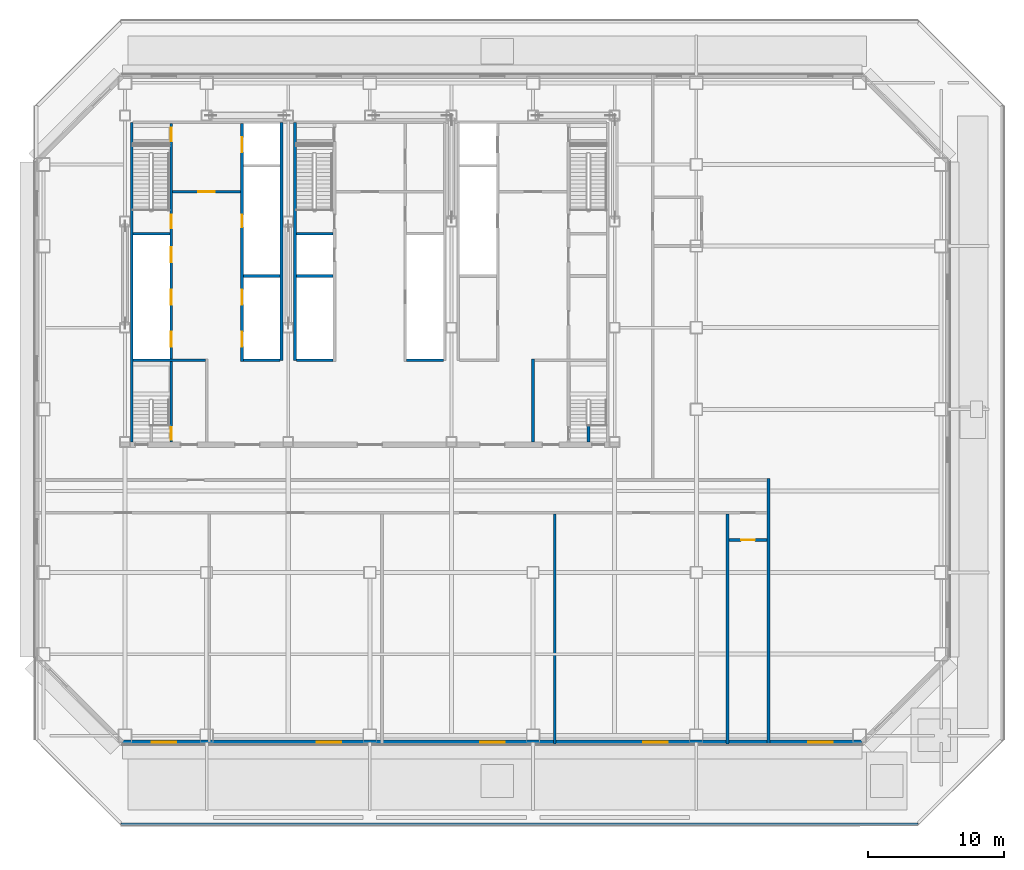
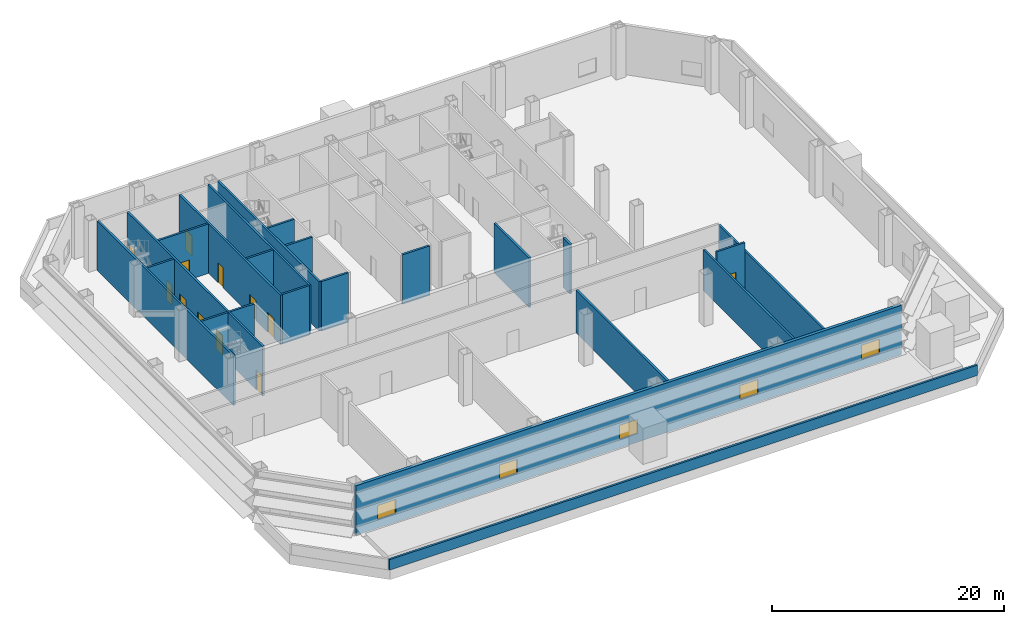
# One storey, part 4 of 11: 22 walls, 12 doors, 5 windows, 17 openings.
"""IFC4 building model written with IfcOpenShell, lengths in metres."""

import ifcopenshell
import ifcopenshell.guid

model = None  # the IFC model being written
_history = None  # IfcOwnerHistory: only IFC2X3 demands one
_inside = {}  # id of a spatial element -> (the spatial element, [elements in it])
_under = {}  # id of a project, library or spatial element -> (it, [spatial elements below it])
_declared = {}  # id of a project -> (the project, [libraries it declares])
_typed = {}  # id of a type object -> (the type object, [elements of that type])
_made_of = {}  # id of a material, layer set ... -> (it, [elements and type objects made of it])


def new_model(schema):
    """Start an empty IFC model of exactly this schema.

    Asked for "IFC4X3", IfcOpenShell would pick the latest addendum, in which some entities
    have other attributes; the version numbers below select the first issue.
    IFC2X3 requires an IfcOwnerHistory on every rooted entity: one is made here for all.
    """
    global model, _history
    if schema == "IFC4X3":
        model = ifcopenshell.file(schema_version=(4, 3, 0, 0))
    else:
        model = ifcopenshell.file(schema=schema)
    _inside.clear()
    _under.clear()
    _declared.clear()
    _typed.clear()
    _made_of.clear()
    _history = None
    if model.schema == "IFC2X3":
        org = make("IfcOrganization", Name="unknown")
        user = make(
            "IfcPersonAndOrganization",
            ThePerson=make("IfcPerson", FamilyName="unknown"),
            TheOrganization=org,
        )
        app = make(
            "IfcApplication",
            ApplicationDeveloper=org,
            Version="unknown",
            ApplicationFullName="unknown",
            ApplicationIdentifier="unknown",
        )
        _history = make(
            "IfcOwnerHistory",
            OwningUser=user,
            OwningApplication=app,
            ChangeAction="ADDED",
            CreationDate=0,
        )
    return model


def make(cls, **values):
    """One entity of the class cls with the attributes given. An attribute that is None is left unset."""
    return model.create_entity(
        cls, **{name: value for name, value in values.items() if value is not None}
    )


def rooted(cls, **values):
    """An entity with a GlobalId (a new one), such as an element, a storey or a relation."""
    return make(cls, GlobalId=ifcopenshell.guid.new(), OwnerHistory=_history, **values)


def si_unit(unit_type, name, prefix=None):
    """IfcSIUnit, for example si_unit("LENGTHUNIT", "METRE", prefix="MILLI")."""
    return make("IfcSIUnit", UnitType=unit_type, Prefix=prefix, Name=name)


def assignment(units):
    """IfcUnitAssignment: the units of a project."""
    return None if units is None else make("IfcUnitAssignment", Units=units)


def point(xyz):
    """IfcCartesianPoint."""
    return None if xyz is None else make("IfcCartesianPoint", Coordinates=xyz)


def direction(xyz):
    """IfcDirection."""
    return None if xyz is None else make("IfcDirection", DirectionRatios=xyz)


def frame(location, z_axis=None, x_axis=None):
    """IfcAxis2Placement3D, a coordinate frame: its origin and axes. An axis left out is left unset."""
    return make(
        "IfcAxis2Placement3D",
        Location=point(location),
        Axis=direction(z_axis),
        RefDirection=direction(x_axis),
    )


def frame_2d(location, x_axis=None):
    """IfcAxis2Placement2D, a coordinate frame in the plane: its origin and x axis."""
    return make(
        "IfcAxis2Placement2D", Location=point(location), RefDirection=direction(x_axis)
    )


def origin():
    """The frame at (0, 0, 0) with its axes left unset."""
    return frame((0.0, 0.0, 0.0))


def place(relative_to, where):
    """IfcLocalPlacement: puts the frame where relative to a parent placement (None: the world)."""
    return make(
        "IfcLocalPlacement", PlacementRelTo=relative_to, RelativePlacement=where
    )


def context(
    kind, dimensions, precision=None, world=None, true_north=None, identifier=None
):
    """IfcGeometricRepresentationContext, for example the 3D "Model" context."""
    return make(
        "IfcGeometricRepresentationContext",
        ContextIdentifier=identifier,
        ContextType=kind,
        CoordinateSpaceDimension=dimensions,
        Precision=precision,
        WorldCoordinateSystem=world,
        TrueNorth=true_north,
    )


def subcontext(parent, identifier, kind, view, scale=None):
    """IfcGeometricRepresentationSubContext, for example "Body" below "Model"."""
    return make(
        "IfcGeometricRepresentationSubContext",
        ContextIdentifier=identifier,
        ContextType=kind,
        ParentContext=parent,
        TargetScale=scale,
        TargetView=view,
    )


def project(units=None, contexts=None):
    """IfcProject with its units and contexts."""
    return rooted(
        "IfcProject",
        Name="project",
        RepresentationContexts=contexts,
        UnitsInContext=assignment(units),
    )


def spatial(cls, under=None, at=None, **own):
    """A site, building, storey or space (cls), placed at a placement, below another one or the project."""
    s = rooted(cls, ObjectPlacement=at, **own)
    if under is not None:
        _under.setdefault(under.id(), (under, []))[1].append(s)
    return s


def profile(cls, at=None, kind="AREA", **sizes):
    """A parametric profile (cls). Its sizes go by their IFC names, for example OverallWidth=200.0."""
    return make(cls, ProfileType=kind, Position=at, **sizes)


def rectangle(**sizes):
    """IfcRectangleProfileDef."""
    return profile("IfcRectangleProfileDef", **sizes)


def extrude(swept, where, along, depth):
    """IfcExtrudedAreaSolid: the profile swept, set in the frame where, extruded along a direction by depth."""
    return make(
        "IfcExtrudedAreaSolid",
        SweptArea=swept,
        Position=where,
        ExtrudedDirection=direction(along),
        Depth=depth,
    )


def shape(context_of_items, identifier, shape_type, items):
    """IfcShapeRepresentation: the items that make up one representation, for example the "Body"."""
    return make(
        "IfcShapeRepresentation",
        ContextOfItems=context_of_items,
        RepresentationIdentifier=identifier,
        RepresentationType=shape_type,
        Items=items,
    )


def material(Name=None, Category=None):
    """IfcMaterial."""
    return make("IfcMaterial", Name=Name, Category=Category)


def layer(
    of_material, thickness, ventilated=None, Name=None, Category=None, Priority=None
):
    """IfcMaterialLayer: one layer of a wall or slab, of a material (None: an air gap)."""
    return make(
        "IfcMaterialLayer",
        Material=of_material,
        LayerThickness=thickness,
        IsVentilated=ventilated,
        Name=Name,
        Category=Category,
        Priority=Priority,
    )


def layer_set(layers, Name=None):
    """IfcMaterialLayerSet."""
    return make("IfcMaterialLayerSet", MaterialLayers=layers, LayerSetName=Name)


def made_of(thing, what):
    """Note that an element or type object is made of a material, layer set ...; save() writes the relation."""
    if what is not None:
        _made_of.setdefault(what.id(), (what, []))[1].append(thing)
    return thing


def type_object(cls, material=None, **own):
    """A type object (cls), such as IfcWallType, which elements share."""
    return made_of(rooted(cls, **own), material)


def element(
    cls,
    number,
    at=None,
    inside=None,
    cuts=None,
    type_object=None,
    material=None,
    context=None,
    identifier="Body",
    shape_type=None,
    held_by="IfcProductDefinitionShape",
    body=None,
    shapes=None,
    **own,
):
    """One element of the class cls, such as IfcWall. Its Tag is "e" and its number.

    at: its placement. inside: the storey or other place that contains it. cuts: it is an
    opening in that element (IfcRelVoidsElement). A single representation is given by context,
    identifier, shape_type and body (its items); several are given by shapes. held_by: the class
    of the entity that holds the representations. save() writes the other relations.
    """
    e = rooted(cls, Tag="e%d" % number, ObjectPlacement=at, **own)
    if body is not None:
        shapes = [shape(context, identifier, shape_type, body)]
    if shapes is not None:
        e.Representation = make(held_by, Representations=shapes)
    if inside is not None:
        _inside.setdefault(inside.id(), (inside, []))[1].append(e)
    if cuts is not None:
        rooted(
            "IfcRelVoidsElement", RelatingBuildingElement=cuts, RelatedOpeningElement=e
        )
    if type_object is not None:
        _typed.setdefault(type_object.id(), (type_object, []))[1].append(e)
    return made_of(e, material)


def fill(opening, filler):
    """IfcRelFillsElement: the door or window that sits in an opening."""
    return rooted(
        "IfcRelFillsElement",
        RelatingOpeningElement=opening,
        RelatedBuildingElement=filler,
    )


def aggregate(whole, parts):
    """IfcRelAggregates: a whole, such as a stair, and the parts it consists of."""
    return rooted("IfcRelAggregates", RelatingObject=whole, RelatedObjects=parts)


def save(model, path):
    """Write the relations noted so far, then the file.

    IfcRelAggregates (storeys below a building ...), IfcRelContainedInSpatialStructure (elements
    in a storey), IfcRelDefinesByType, IfcRelAssociatesMaterial and IfcRelDeclares: one each for
    every whole, place, type object, material and project.
    """
    for whole, parts in _under.values():
        aggregate(whole, parts)
    for where, things in _inside.values():
        rooted(
            "IfcRelContainedInSpatialStructure",
            RelatedElements=things,
            RelatingStructure=where,
        )
    for kind, things in _typed.values():
        rooted("IfcRelDefinesByType", RelatedObjects=things, RelatingType=kind)
    for what, things in _made_of.values():
        rooted("IfcRelAssociatesMaterial", RelatedObjects=things, RelatingMaterial=what)
    for by, libraries in _declared.values():
        rooted("IfcRelDeclares", RelatingContext=by, RelatedDefinitions=libraries)
    model.write(path)


model = new_model("IFC4")

# Units and contexts
model_context = context("Model", 3, precision=1e-05, world=origin(), true_north=direction((0.0, 1.0)))
body_context = subcontext(model_context, "Body", "Model", "MODEL_VIEW")
ifc_project = project(units=[si_unit("LENGTHUNIT", "METRE"), si_unit("AREAUNIT", "SQUARE_METRE"), si_unit("VOLUMEUNIT", "CUBIC_METRE"), si_unit("PLANEANGLEUNIT", "RADIAN"), si_unit("MASSUNIT", "GRAM", prefix="KILO")], contexts=[model_context])

# Site, building, storey
site_placement = place(None, origin())
site = spatial("IfcSite", under=ifc_project, at=site_placement, CompositionType="ELEMENT")
building_placement = place(site_placement, origin())
building = spatial("IfcBuilding", under=site, at=building_placement, Name="Sorahane Residences", CompositionType="ELEMENT")
storey_placement = place(building_placement, frame((0.0, 0.0, 44.39990234375)))
storey = spatial("IfcBuildingStorey", under=building, at=storey_placement, Name="L07", CompositionType="ELEMENT", Elevation=44.39990234375)

# Walls
ifc_material_1 = material(Name="Concrete C30", Category="concrete")
ifc_layer_1 = layer(ifc_material_1, 0.199951171875)
ifc_layer_set_1 = layer_set([ifc_layer_1], Name="Core face wall 200 EI 180")
wall_type_1 = type_object("IfcWallType", Name="Core face wall 200 EI 180", PredefinedType="SOLIDWALL", material=ifc_layer_set_1)
wall_1_placement = place(storey_placement, frame((6.5, 21.60009765625, 0.0), z_axis=(0.0, 0.0, 1.0), x_axis=(0.0, 1.0, 0.0)))
element("IfcWall", 1, at=wall_1_placement, inside=storey, type_object=wall_type_1, Name="L07 core face wall", PredefinedType="SOLIDWALL", context=body_context, shape_type="SweptSolid", body=[
    extrude(rectangle(XDim=23.5, YDim=0.199951171875, at=frame_2d((11.75, 0.0))), origin(), (0.0, 0.0, 1.0), 5.22021484375),
])
for number, where, z_axis, x_axis, name in (
    (2, (17.5, 27.60009765625, 0.0), (0.0, 0.0, 1.0), (0.0, 1.0, 0.0), "L07 core face wall"),
    (3, (18.5, 27.60009765625, 0.0), (0.0, 0.0, 1.0), (0.0, 1.0, 0.0), "L07 core face wall"),
):
    element("IfcWall", number, at=place(storey_placement, frame(where, z_axis=z_axis, x_axis=x_axis)), inside=storey, type_object=wall_type_1, Name=name, PredefinedType="SOLIDWALL", context=body_context, shape_type="SweptSolid", body=[
        extrude(rectangle(XDim=17.5, YDim=0.199951171875, at=frame_2d((8.75, 0.0))), origin(), (0.0, 0.0, 1.0), 5.22021484375),
    ])

# Wall, openings, windows
ifc_material_2 = material(Name="Graphite insulated metal-clad wall")
ifc_layer_2 = layer(ifc_material_2, 0.300048828125)
ifc_layer_set_2 = layer_set([ifc_layer_2], Name="External wall insulated metal-clad 300")
wall_type_2 = type_object("IfcWallType", Name="External wall insulated metal-clad 300", PredefinedType="SOLIDWALL", material=ifc_layer_set_2)
wall_2_placement = place(storey_placement, frame((5.805419921875, -0.469970703125, 0.0), z_axis=(0.0, 0.0, 1.0), x_axis=(1.0, 0.0, 0.0)))
wall_2 = element("IfcWall", 4, at=wall_2_placement, inside=storey, type_object=wall_type_2, Name="External plant wall L07 S1", PredefinedType="SOLIDWALL", context=body_context, shape_type="SweptSolid", body=[
    extrude(rectangle(XDim=54.38916015625, YDim=0.300048828125, at=frame_2d((27.194580078125, 0.0))), origin(), (0.0, 0.0, 1.0), 5.22021484375),
])
opening_1_placement = place(wall_2_placement, frame((2.17041015625, 0.0, 0.89990234375)))
opening_1 = element("IfcOpeningElement", 5, at=opening_1_placement, cuts=wall_2, Name="Opening W-R1", PredefinedType="OPENING", context=body_context, shape_type="SweptSolid", body=[
    extrude(rectangle(XDim=1.800048828125, YDim=1.5, at=frame_2d((0.89990234375, 0.75))), frame((0.0, 0.159912109375, 0.0), z_axis=(0.0, -1.0, 0.0), x_axis=(1.0, 0.0, 0.0)), (0.0, 0.0, 1.0), 0.320068359375),
])
opening_2_placement = place(wall_2_placement, frame((14.294677734375, 0.0, 0.89990234375)))
opening_2 = element("IfcOpeningElement", 6, at=opening_2_placement, cuts=wall_2, Name="Opening W-R1", PredefinedType="OPENING", context=body_context, shape_type="SweptSolid", body=[
    extrude(rectangle(XDim=1.800048828125, YDim=1.5, at=frame_2d((0.89990234375, 0.75))), frame((0.0, 0.159912109375, 0.0), z_axis=(0.0, -1.0, 0.0), x_axis=(1.0, 0.0, 0.0)), (0.0, 0.0, 1.0), 0.320068359375),
])
opening_3_placement = place(wall_2_placement, frame((26.294677734375, 0.0, 0.89990234375)))
opening_3 = element("IfcOpeningElement", 7, at=opening_3_placement, cuts=wall_2, Name="Opening W-R1", PredefinedType="OPENING", context=body_context, shape_type="SweptSolid", body=[
    extrude(rectangle(XDim=1.800048828125, YDim=1.5, at=frame_2d((0.89990234375, 0.75))), frame((0.0, 0.159912109375, 0.0), z_axis=(0.0, -1.0, 0.0), x_axis=(1.0, 0.0, 0.0)), (0.0, 0.0, 1.0), 0.320068359375),
])
opening_4_placement = place(wall_2_placement, frame((38.294677734375, 0.0, 0.89990234375)))
opening_4 = element("IfcOpeningElement", 8, at=opening_4_placement, cuts=wall_2, Name="Opening W-R1", PredefinedType="OPENING", context=body_context, shape_type="SweptSolid", body=[
    extrude(rectangle(XDim=1.800048828125, YDim=1.5, at=frame_2d((0.89990234375, 0.75))), frame((0.0, 0.159912109375, 0.0), z_axis=(0.0, -1.0, 0.0), x_axis=(1.0, 0.0, 0.0)), (0.0, 0.0, 1.0), 0.320068359375),
])
opening_5_placement = place(wall_2_placement, frame((50.4189453125, 0.0, 0.89990234375)))
opening_5 = element("IfcOpeningElement", 9, at=opening_5_placement, cuts=wall_2, Name="Opening W-R1", PredefinedType="OPENING", context=body_context, shape_type="SweptSolid", body=[
    extrude(rectangle(XDim=1.800048828125, YDim=1.5, at=frame_2d((0.89990234375, 0.75))), frame((0.0, 0.159912109375, 0.0), z_axis=(0.0, -1.0, 0.0), x_axis=(1.0, 0.0, 0.0)), (0.0, 0.0, 1.0), 0.320068359375),
])
ifc_material_3 = material(Name="Dark aluminium and glass", Category="aluminium")
window_type = type_object("IfcWindowType", Name="Openable Class B fire window dark aluminium 1800x1500", PartitioningType="SINGLE_PANEL", PredefinedType="WINDOW", material=ifc_material_3)
window_1_placement = place(opening_1_placement, origin())
window_1 = element("IfcWindow", 10, at=window_1_placement, inside=storey, type_object=window_type, Name="Openable fire window L07 S1.1", OverallHeight=1.5, OverallWidth=1.800048828125, PartitioningType="SINGLE_PANEL", PredefinedType="WINDOW", context=body_context, shape_type="SweptSolid", body=[
    extrude(rectangle(XDim=1.800048828125, YDim=1.5, at=frame_2d((0.89990234375, 0.75))), frame((0.0, 0.030029296875, 0.0), z_axis=(0.0, -1.0, 0.0), x_axis=(1.0, 0.0, 0.0)), (0.0, 0.0, 1.0), 0.06005859375),
])
fill(opening_1, window_1)
window_2_placement = place(opening_2_placement, origin())
window_2 = element("IfcWindow", 11, at=window_2_placement, inside=storey, type_object=window_type, Name="Openable fire window L07 S1.3", OverallHeight=1.5, OverallWidth=1.800048828125, PartitioningType="SINGLE_PANEL", PredefinedType="WINDOW", context=body_context, shape_type="SweptSolid", body=[
    extrude(rectangle(XDim=1.800048828125, YDim=1.5, at=frame_2d((0.89990234375, 0.75))), frame((0.0, 0.030029296875, 0.0), z_axis=(0.0, -1.0, 0.0), x_axis=(1.0, 0.0, 0.0)), (0.0, 0.0, 1.0), 0.06005859375),
])
fill(opening_2, window_2)
window_3_placement = place(opening_3_placement, origin())
window_3 = element("IfcWindow", 12, at=window_3_placement, inside=storey, type_object=window_type, Name="Openable fire window L07 S1.5", OverallHeight=1.5, OverallWidth=1.800048828125, PartitioningType="SINGLE_PANEL", PredefinedType="WINDOW", context=body_context, shape_type="SweptSolid", body=[
    extrude(rectangle(XDim=1.800048828125, YDim=1.5, at=frame_2d((0.89990234375, 0.75))), frame((0.0, 0.030029296875, 0.0), z_axis=(0.0, -1.0, 0.0), x_axis=(1.0, 0.0, 0.0)), (0.0, 0.0, 1.0), 0.06005859375),
])
fill(opening_3, window_3)
window_4_placement = place(opening_4_placement, origin())
window_4 = element("IfcWindow", 13, at=window_4_placement, inside=storey, type_object=window_type, Name="Openable fire window L07 S1.7", OverallHeight=1.5, OverallWidth=1.800048828125, PartitioningType="SINGLE_PANEL", PredefinedType="WINDOW", context=body_context, shape_type="SweptSolid", body=[
    extrude(rectangle(XDim=1.800048828125, YDim=1.5, at=frame_2d((0.89990234375, 0.75))), frame((0.0, 0.030029296875, 0.0), z_axis=(0.0, -1.0, 0.0), x_axis=(1.0, 0.0, 0.0)), (0.0, 0.0, 1.0), 0.06005859375),
])
fill(opening_4, window_4)
window_5_placement = place(opening_5_placement, origin())
window_5 = element("IfcWindow", 14, at=window_5_placement, inside=storey, type_object=window_type, Name="Openable fire window L07 S1.9", OverallHeight=1.5, OverallWidth=1.800048828125, PartitioningType="SINGLE_PANEL", PredefinedType="WINDOW", context=body_context, shape_type="SweptSolid", body=[
    extrude(rectangle(XDim=1.800048828125, YDim=1.5, at=frame_2d((0.89990234375, 0.75))), frame((0.0, 0.030029296875, 0.0), z_axis=(0.0, -1.0, 0.0), x_axis=(1.0, 0.0, 0.0)), (0.0, 0.0, 1.0), 0.06005859375),
])
fill(opening_5, window_5)

# Walls
ifc_material_4 = material(Name="Concrete blockwork C20 wall", Category="masonry")
ifc_layer_3 = layer(ifc_material_4, 0.199951171875)
ifc_layer_set_3 = layer_set([ifc_layer_3], Name="Fire wall 200 EI 120")
wall_type_3 = type_object("IfcWallType", Name="Fire wall 200 EI 120", PredefinedType="SOLIDWALL", material=ifc_layer_set_3)
wall_3_placement = place(storey_placement, frame((50.300048828125, -0.60009765625, 0.0), z_axis=(0.0, 0.0, 1.0), x_axis=(0.0, 1.0, 0.0)))
element("IfcWall", 15, at=wall_3_placement, inside=storey, type_object=wall_type_3, Name="L07 fire wall", PredefinedType="SOLIDWALL", context=body_context, shape_type="SweptSolid", body=[
    extrude(rectangle(XDim=16.900146484375, YDim=0.199951171875, at=frame_2d((8.4501953125, 0.0))), origin(), (0.0, 0.0, 1.0), 4.320068359375),
])
wall_4_placement = place(storey_placement, frame((53.300048828125, -0.60009765625, 0.0), z_axis=(0.0, 0.0, 1.0), x_axis=(0.0, 1.0, 0.0)))
element("IfcWall", 16, at=wall_4_placement, inside=storey, type_object=wall_type_3, Name="L07 fire wall", PredefinedType="SOLIDWALL", context=body_context, shape_type="SweptSolid", body=[
    extrude(rectangle(XDim=19.5, YDim=0.199951171875, at=frame_2d((9.75, 0.0))), origin(), (0.0, 0.0, 1.0), 4.320068359375),
])

# Wall, opening, door
wall_5_placement = place(storey_placement, frame((50.39990234375, 14.39990234375, 0.0), z_axis=(0.0, 0.0, 1.0), x_axis=(1.0, 0.0, 0.0)))
wall_5 = element("IfcWall", 17, at=wall_5_placement, inside=storey, type_object=wall_type_3, Name="L07 fire wall", PredefinedType="SOLIDWALL", context=body_context, shape_type="SweptSolid", body=[
    extrude(rectangle(XDim=2.800048828125, YDim=0.199951171875, at=frame_2d((1.39990234375, 0.0))), origin(), (0.0, 0.0, 1.0), 5.22021484375),
])
opening_6_placement = place(wall_5_placement, frame((0.89990234375, 0.0, 0.0)))
opening_6 = element("IfcOpeningElement", 18, at=opening_6_placement, cuts=wall_5, Name="Opening L07-06", PredefinedType="OPENING", context=body_context, shape_type="SweptSolid", body=[
    extrude(rectangle(XDim=1.0, YDim=2.39990234375, at=frame_2d((0.5, 1.199951171875))), frame((0.0, 0.10986328125, 0.0), z_axis=(0.0, -1.0, 0.0), x_axis=(1.0, 0.0, 0.0)), (0.0, 0.0, 1.0), 0.219970703125),
])
ifc_material_5 = material(Name="Steel", Category="steel")
door_type_1 = type_object("IfcDoorType", Name="Fire door 1000x2400 FD60", OperationType="NOTDEFINED", PredefinedType="DOOR", material=ifc_material_5)
door_1_placement = place(opening_6_placement, origin())
door_1 = element("IfcDoor", 19, at=door_1_placement, inside=storey, type_object=door_type_1, Name="Fire door L07-06", OperationType="SINGLE_SWING_RIGHT", OverallHeight=2.39990234375, OverallWidth=1.0, PredefinedType="DOOR", context=body_context, shape_type="SweptSolid", body=[
    extrude(rectangle(XDim=1.0, YDim=2.39990234375, at=frame_2d((0.5, 1.199951171875))), frame((0.0, 0.02490234375, 0.0), z_axis=(0.0, -1.0, 0.0), x_axis=(1.0, 0.0, 0.0)), (0.0, 0.0, 1.0), 0.050048828125),
])
fill(opening_6, door_1)

# Wall
ifc_material_6 = material(Name="Concrete C30", Category="concrete")
ifc_layer_4 = layer(ifc_material_6, 0.199951171875)
ifc_layer_set_4 = layer_set([ifc_layer_4], Name="Front room wall 200 EI 120")
wall_type_4 = type_object("IfcWallType", Name="Front room wall 200 EI 120", PredefinedType="PARTITIONING", material=ifc_layer_set_4)
wall_6_placement = place(storey_placement, frame((36.0, 21.60009765625, 0.0), z_axis=(0.0, 0.0, 1.0), x_axis=(0.0, 1.0, 0.0)))
element("IfcWall", 20, at=wall_6_placement, inside=storey, type_object=wall_type_4, Name="L07 front room wall", PredefinedType="PARTITIONING", context=body_context, shape_type="SweptSolid", body=[
    extrude(rectangle(XDim=6.099853515625, YDim=0.199951171875, at=frame_2d((3.0498046875, 0.0))), origin(), (0.0, 0.0, 1.0), 5.22021484375),
])

# Wall, opening, door
wall_7_placement = place(storey_placement, frame((9.5, 40.0, 0.0), z_axis=(0.0, 0.0, 1.0), x_axis=(1.0, 0.0, 0.0)))
wall_7 = element("IfcWall", 21, at=wall_7_placement, inside=storey, type_object=wall_type_4, Name="L07 front room wall", PredefinedType="PARTITIONING", context=body_context, shape_type="SweptSolid", body=[
    extrude(rectangle(XDim=5.0, YDim=0.199951171875, at=frame_2d((2.5, 0.0))), origin(), (0.0, 0.0, 1.0), 5.22021484375),
])
opening_7_placement = place(wall_7_placement, frame((1.89990234375, 0.0, 0.0)))
opening_7 = element("IfcOpeningElement", 22, at=opening_7_placement, cuts=wall_7, Name="Opening L07-C06", PredefinedType="OPENING", context=body_context, shape_type="SweptSolid", body=[
    extrude(rectangle(XDim=1.199951171875, YDim=2.10009765625, at=frame_2d((0.60009765625, 1.050048828125))), frame((0.0, 0.10986328125, 0.0), z_axis=(0.0, -1.0, 0.0), x_axis=(1.0, 0.0, 0.0)), (0.0, 0.0, 1.0), 0.219970703125),
])
ifc_material_7 = material(Name="Steel", Category="steel")
door_type_2 = type_object("IfcDoorType", Name="Front room door 1200x2100 FD120", OperationType="NOTDEFINED", PredefinedType="DOOR", material=ifc_material_7)
door_2_placement = place(opening_7_placement, frame((1.199951171875, 0.0, 0.0), z_axis=(0.0, 0.0, 1.0), x_axis=(-1.0, 0.0, 0.0)))
door_2 = element("IfcDoor", 23, at=door_2_placement, inside=storey, type_object=door_type_2, Name="Front room door Firefighting lobby FF1 front room L07", OperationType="DOUBLE_DOOR_SINGLE_SWING", OverallHeight=2.10009765625, OverallWidth=1.199951171875, PredefinedType="DOOR", context=body_context, shape_type="SweptSolid", body=[
    extrude(rectangle(XDim=1.199951171875, YDim=2.10009765625, at=frame_2d((0.60009765625, 1.050048828125))), frame((0.0, 0.02490234375, 0.0), z_axis=(0.0, -1.0, 0.0), x_axis=(1.0, 0.0, 0.0)), (0.0, 0.0, 1.0), 0.050048828125),
])
fill(opening_7, door_2)

# Wall, openings, doors
ifc_material_8 = material(Name="Concrete C30", Category="concrete")
ifc_layer_5 = layer(ifc_material_8, 0.199951171875)
ifc_layer_set_5 = layer_set([ifc_layer_5], Name="Lift shaft wall 200 EI 120")
wall_type_5 = type_object("IfcWallType", Name="Lift shaft wall 200 EI 120", PredefinedType="SOLIDWALL", material=ifc_layer_set_5)
wall_8_placement = place(storey_placement, frame((14.60009765625, 27.5, 0.0), z_axis=(0.0, 0.0, 1.0), x_axis=(0.0, 1.0, 0.0)))
wall_8 = element("IfcWall", 24, at=wall_8_placement, inside=storey, type_object=wall_type_5, Name="L07 lift shaft wall", PredefinedType="SOLIDWALL", context=body_context, shape_type="SweptSolid", body=[
    extrude(rectangle(XDim=17.5, YDim=0.199951171875, at=frame_2d((8.75, 0.0))), origin(), (0.0, 0.0, 1.0), 5.22021484375),
])
opening_8_placement = place(wall_8_placement, frame((1.10009765625, 0.0, 0.0)))
opening_8 = element("IfcOpeningElement", 25, at=opening_8_placement, cuts=wall_8, Name="Opening L07-C10", PredefinedType="OPENING", context=body_context, shape_type="SweptSolid", body=[
    extrude(rectangle(XDim=1.10009765625, YDim=2.10009765625, at=frame_2d((0.550048828125, 1.050048828125))), frame((0.0, 0.10986328125, 0.0), z_axis=(0.0, -1.0, 0.0), x_axis=(1.0, 0.0, 0.0)), (0.0, 0.0, 1.0), 0.219970703125),
])
opening_9_placement = place(wall_8_placement, frame((4.199951171875, 0.0, 0.0)))
opening_9 = element("IfcOpeningElement", 26, at=opening_9_placement, cuts=wall_8, Name="Opening L07-C11", PredefinedType="OPENING", context=body_context, shape_type="SweptSolid", body=[
    extrude(rectangle(XDim=1.10009765625, YDim=2.10009765625, at=frame_2d((0.550048828125, 1.050048828125))), frame((0.0, 0.10986328125, 0.0), z_axis=(0.0, -1.0, 0.0), x_axis=(1.0, 0.0, 0.0)), (0.0, 0.0, 1.0), 0.219970703125),
])
opening_10_placement = place(wall_8_placement, frame((15.39990234375, 0.0, 0.0)))
opening_10 = element("IfcOpeningElement", 27, at=opening_10_placement, cuts=wall_8, Name="Opening L07-C12", PredefinedType="OPENING", context=body_context, shape_type="SweptSolid", body=[
    extrude(rectangle(XDim=1.10009765625, YDim=2.10009765625, at=frame_2d((0.550048828125, 1.050048828125))), frame((0.0, 0.10986328125, 0.0), z_axis=(0.0, -1.0, 0.0), x_axis=(1.0, 0.0, 0.0)), (0.0, 0.0, 1.0), 0.219970703125),
])
opening_11_placement = place(wall_8_placement, frame((9.89990234375, 0.0, 0.0)))
opening_11 = element("IfcOpeningElement", 28, at=opening_11_placement, cuts=wall_8, Name="Opening L07-C29", PredefinedType="OPENING", context=body_context, shape_type="SweptSolid", body=[
    extrude(rectangle(XDim=0.89990234375, YDim=2.10009765625, at=frame_2d((0.449951171875, 1.050048828125))), frame((0.0, 0.10986328125, 0.0), z_axis=(0.0, -1.0, 0.0), x_axis=(1.0, 0.0, 0.0)), (0.0, 0.0, 1.0), 0.219970703125),
])
ifc_material_9 = material(Name="Aluminium and stainless steel", Category="steel")
door_type_3 = type_object("IfcDoorType", Name="Lift landing door 1100x2100 E 60", OperationType="NOTDEFINED", PredefinedType="DOOR", material=ifc_material_9)
door_3_placement = place(opening_8_placement, origin())
door_3 = element("IfcDoor", 29, at=door_3_placement, inside=storey, type_object=door_type_3, Name="Lift landing door LR4 L07", OperationType="DOUBLE_DOOR_SLIDING", OverallHeight=2.10009765625, OverallWidth=1.10009765625, PredefinedType="DOOR", context=body_context, shape_type="SweptSolid", body=[
    extrude(rectangle(XDim=1.10009765625, YDim=2.10009765625, at=frame_2d((0.550048828125, 1.050048828125))), frame((0.0, 0.02490234375, 0.0), z_axis=(0.0, -1.0, 0.0), x_axis=(1.0, 0.0, 0.0)), (0.0, 0.0, 1.0), 0.050048828125),
])
fill(opening_8, door_3)
door_4_placement = place(opening_9_placement, origin())
door_4 = element("IfcDoor", 30, at=door_4_placement, inside=storey, type_object=door_type_3, Name="Lift landing door LR5 L07", OperationType="DOUBLE_DOOR_SLIDING", OverallHeight=2.10009765625, OverallWidth=1.10009765625, PredefinedType="DOOR", context=body_context, shape_type="SweptSolid", body=[
    extrude(rectangle(XDim=1.10009765625, YDim=2.10009765625, at=frame_2d((0.550048828125, 1.050048828125))), frame((0.0, 0.02490234375, 0.0), z_axis=(0.0, -1.0, 0.0), x_axis=(1.0, 0.0, 0.0)), (0.0, 0.0, 1.0), 0.050048828125),
])
fill(opening_9, door_4)
door_5_placement = place(opening_10_placement, origin())
door_5 = element("IfcDoor", 31, at=door_5_placement, inside=storey, type_object=door_type_3, Name="Lift landing door FF1 L07", OperationType="DOUBLE_DOOR_SLIDING", OverallHeight=2.10009765625, OverallWidth=1.10009765625, PredefinedType="DOOR", context=body_context, shape_type="SweptSolid", body=[
    extrude(rectangle(XDim=1.10009765625, YDim=2.10009765625, at=frame_2d((0.550048828125, 1.050048828125))), frame((0.0, 0.02490234375, 0.0), z_axis=(0.0, -1.0, 0.0), x_axis=(1.0, 0.0, 0.0)), (0.0, 0.0, 1.0), 0.050048828125),
])
fill(opening_10, door_5)
ifc_material_10 = material(Name="Steel", Category="steel")
door_type_4 = type_object("IfcDoorType", Name="Riser door 900x2100 FD120", OperationType="NOTDEFINED", PredefinedType="DOOR", material=ifc_material_10)
door_6_placement = place(opening_11_placement, origin())
door_6 = element("IfcDoor", 32, at=door_6_placement, inside=storey, type_object=door_type_4, Name="Riser door R1 L07", OperationType="SINGLE_SWING_LEFT", OverallHeight=2.10009765625, OverallWidth=0.89990234375, PredefinedType="DOOR", context=body_context, shape_type="SweptSolid", body=[
    extrude(rectangle(XDim=0.89990234375, YDim=2.10009765625, at=frame_2d((0.449951171875, 1.050048828125))), frame((0.0, 0.02490234375, 0.0), z_axis=(0.0, -1.0, 0.0), x_axis=(1.0, 0.0, 0.0)), (0.0, 0.0, 1.0), 0.050048828125),
])
fill(opening_11, door_6)

# Walls
for number, where, z_axis, x_axis, name in (
    (33, (14.699951171875, 27.60009765625, 0.0), (0.0, 0.0, 1.0), (1.0, 0.0, 0.0), "L07 lift shaft wall"),
    (34, (18.60009765625, 27.60009765625, 0.0), (0.0, 0.0, 1.0), (1.0, 0.0, 0.0), "L07 lift shaft wall"),
    (35, (14.699951171875, 33.800048828125, 0.0), (0.0, 0.0, 1.0), (1.0, 0.0, 0.0), "L07 lift shaft wall"),
    (36, (18.60009765625, 33.800048828125, 0.0), (0.0, 0.0, 1.0), (1.0, 0.0, 0.0), "L07 lift shaft wall"),
):
    element("IfcWall", number, at=place(storey_placement, frame(where, z_axis=z_axis, x_axis=x_axis)), inside=storey, type_object=wall_type_5, Name=name, PredefinedType="SOLIDWALL", context=body_context, shape_type="SweptSolid", body=[
        extrude(rectangle(XDim=2.699951171875, YDim=0.199951171875, at=frame_2d((1.35009765625, 0.0))), origin(), (0.0, 0.0, 1.0), 5.22021484375),
    ])
ifc_material_11 = material(Name="Concrete C35", Category="concrete")
ifc_layer_6 = layer(ifc_material_11, 0.199951171875)
ifc_layer_set_6 = layer_set([ifc_layer_6], Name="Parapet wall Concrete C35 200")
wall_type_6 = type_object("IfcWallType", Name="Parapet wall Concrete C35 200", PredefinedType="PARAPET", material=ifc_layer_set_6)
wall_9_placement = place(storey_placement, frame((64.30712890625, -6.5, 0.0), z_axis=(0.0, 0.0, 1.0), x_axis=(-1.0, 0.0, 0.0)))
element("IfcWall", 37, at=wall_9_placement, inside=storey, type_object=wall_type_6, Name="Roof parapet L07.1.1.7", PredefinedType="PARAPET", context=body_context, shape_type="SweptSolid", body=[
    extrude(rectangle(XDim=58.6142578125, YDim=0.199951171875, at=frame_2d((29.30712890625, 0.0))), origin(), (0.0, 0.0, 1.0), 1.10009765625),
])
ifc_material_12 = material(Name="Concrete blockwork C20 wall", Category="masonry")
ifc_layer_7 = layer(ifc_material_12, 0.199951171875)
ifc_layer_set_7 = layer_set([ifc_layer_7], Name="Plant wall 200 EI 120")
wall_type_7 = type_object("IfcWallType", Name="Plant wall 200 EI 120", PredefinedType="SOLIDWALL", material=ifc_layer_set_7)
wall_10_placement = place(storey_placement, frame((37.60009765625, -0.60009765625, 0.0), z_axis=(0.0, 0.0, 1.0), x_axis=(0.0, 1.0, 0.0)))
element("IfcWall", 38, at=wall_10_placement, inside=storey, type_object=wall_type_7, Name="L07 plant wall", PredefinedType="SOLIDWALL", context=body_context, shape_type="SweptSolid", body=[
    extrude(rectangle(XDim=16.900146484375, YDim=0.199951171875, at=frame_2d((8.4501953125, 0.0))), origin(), (0.0, 0.0, 1.0), 4.52001953125),
])
ifc_material_13 = material(Name="Concrete C30", Category="concrete")
ifc_layer_8 = layer(ifc_material_13, 0.199951171875)
ifc_layer_set_8 = layer_set([ifc_layer_8], Name="Riser shaft wall 200 EI 120")
wall_type_8 = type_object("IfcWallType", Name="Riser shaft wall 200 EI 120", PredefinedType="SOLIDWALL", material=ifc_layer_set_8)
wall_11_placement = place(storey_placement, frame((26.699951171875, 27.60009765625, 0.0), z_axis=(0.0, 0.0, 1.0), x_axis=(1.0, 0.0, 0.0)))
element("IfcWall", 39, at=wall_11_placement, inside=storey, type_object=wall_type_8, Name="L07 riser wall", PredefinedType="SOLIDWALL", context=body_context, shape_type="SweptSolid", body=[
    extrude(rectangle(XDim=2.699951171875, YDim=0.199951171875, at=frame_2d((1.35009765625, 0.0))), origin(), (0.0, 0.0, 1.0), 5.22021484375),
])
ifc_material_14 = material(Name="Concrete C30", Category="concrete")
ifc_layer_9 = layer(ifc_material_14, 0.199951171875)
ifc_layer_set_9 = layer_set([ifc_layer_9], Name="Stair enclosure wall 200 EI 120")
wall_type_9 = type_object("IfcWallType", Name="Stair enclosure wall 200 EI 120", PredefinedType="SOLIDWALL", material=ifc_layer_set_9)
wall_12_placement = place(storey_placement, frame((40.074951171875, 21.60009765625, 0.0), z_axis=(0.0, 0.0, 1.0), x_axis=(0.0, 1.0, 0.0)))
element("IfcWall", 40, at=wall_12_placement, inside=storey, type_object=wall_type_9, Name="L07 stair enclosure wall", PredefinedType="SOLIDWALL", context=body_context, shape_type="SweptSolid", body=[
    extrude(rectangle(XDim=1.25, YDim=0.199951171875, at=frame_2d((0.625, 0.0))), origin(), (0.0, 0.0, 1.0), 5.22021484375),
])

# Wall, openings, doors
wall_13_placement = place(storey_placement, frame((9.39990234375, 21.60009765625, 0.0), z_axis=(0.0, 0.0, 1.0), x_axis=(0.0, 1.0, 0.0)))
wall_13 = element("IfcWall", 41, at=wall_13_placement, inside=storey, type_object=wall_type_9, Name="L07 stair enclosure wall", PredefinedType="SOLIDWALL", context=body_context, shape_type="SweptSolid", body=[
    extrude(rectangle(XDim=23.39990234375, YDim=0.199951171875, at=frame_2d((11.699951171875, 0.0))), origin(), (0.0, 0.0, 1.0), 5.22021484375),
])
opening_12_placement = place(wall_13_placement, frame((7.0, 0.0, 0.0)))
opening_12 = element("IfcOpeningElement", 42, at=opening_12_placement, cuts=wall_13, Name="Opening L07-C13", PredefinedType="OPENING", context=body_context, shape_type="SweptSolid", body=[
    extrude(rectangle(XDim=1.10009765625, YDim=2.10009765625, at=frame_2d((0.550048828125, 1.050048828125))), frame((0.0, 0.10986328125, 0.0), z_axis=(0.0, -1.0, 0.0), x_axis=(1.0, 0.0, 0.0)), (0.0, 0.0, 1.0), 0.219970703125),
])
opening_13_placement = place(wall_13_placement, frame((10.10009765625, 0.0, 0.0)))
opening_13 = element("IfcOpeningElement", 43, at=opening_13_placement, cuts=wall_13, Name="Opening L07-C14", PredefinedType="OPENING", context=body_context, shape_type="SweptSolid", body=[
    extrude(rectangle(XDim=1.10009765625, YDim=2.10009765625, at=frame_2d((0.550048828125, 1.050048828125))), frame((0.0, 0.10986328125, 0.0), z_axis=(0.0, -1.0, 0.0), x_axis=(1.0, 0.0, 0.0)), (0.0, 0.0, 1.0), 0.219970703125),
])
opening_14_placement = place(wall_13_placement, frame((13.199951171875, 0.0, 0.0)))
opening_14 = element("IfcOpeningElement", 44, at=opening_14_placement, cuts=wall_13, Name="Opening L07-C15", PredefinedType="OPENING", context=body_context, shape_type="SweptSolid", body=[
    extrude(rectangle(XDim=1.10009765625, YDim=2.10009765625, at=frame_2d((0.550048828125, 1.050048828125))), frame((0.0, 0.10986328125, 0.0), z_axis=(0.0, -1.0, 0.0), x_axis=(1.0, 0.0, 0.0)), (0.0, 0.0, 1.0), 0.219970703125),
])
opening_15_placement = place(wall_13_placement, frame((22.10009765625, 0.0, 0.0)))
opening_15 = element("IfcOpeningElement", 45, at=opening_15_placement, cuts=wall_13, Name="Opening L07-C19", PredefinedType="OPENING", context=body_context, shape_type="SweptSolid", body=[
    extrude(rectangle(XDim=1.0, YDim=2.10009765625, at=frame_2d((0.5, 1.050048828125))), frame((0.0, 0.10986328125, 0.0), z_axis=(0.0, -1.0, 0.0), x_axis=(1.0, 0.0, 0.0)), (0.0, 0.0, 1.0), 0.219970703125),
])
opening_16_placement = place(wall_13_placement, frame((15.699951171875, 0.0, 0.0)))
opening_16 = element("IfcOpeningElement", 46, at=opening_16_placement, cuts=wall_13, Name="Opening L07-C20", PredefinedType="OPENING", context=body_context, shape_type="SweptSolid", body=[
    extrude(rectangle(XDim=1.0, YDim=2.10009765625, at=frame_2d((0.5, 1.050048828125))), frame((0.0, 0.10986328125, 0.0), z_axis=(0.0, -1.0, 0.0), x_axis=(1.0, 0.0, 0.0)), (0.0, 0.0, 1.0), 0.219970703125),
])
opening_17_placement = place(wall_13_placement, frame((0.175048828125, 0.0, 0.0)))
opening_17 = element("IfcOpeningElement", 47, at=opening_17_placement, cuts=wall_13, Name="Opening L07-C26", PredefinedType="OPENING", context=body_context, shape_type="SweptSolid", body=[
    extrude(rectangle(XDim=0.89990234375, YDim=2.10009765625, at=frame_2d((0.449951171875, 1.050048828125))), frame((0.0, 0.10986328125, 0.0), z_axis=(0.0, -1.0, 0.0), x_axis=(1.0, 0.0, 0.0)), (0.0, 0.0, 1.0), 0.219970703125),
])
door_7_placement = place(opening_12_placement, origin())
door_7 = element("IfcDoor", 48, at=door_7_placement, inside=storey, type_object=door_type_3, Name="Lift landing door LR1 L07", OperationType="DOUBLE_DOOR_SLIDING", OverallHeight=2.10009765625, OverallWidth=1.10009765625, PredefinedType="DOOR", context=body_context, shape_type="SweptSolid", body=[
    extrude(rectangle(XDim=1.10009765625, YDim=2.10009765625, at=frame_2d((0.550048828125, 1.050048828125))), frame((0.0, 0.02490234375, 0.0), z_axis=(0.0, -1.0, 0.0), x_axis=(1.0, 0.0, 0.0)), (0.0, 0.0, 1.0), 0.050048828125),
])
fill(opening_12, door_7)
door_8_placement = place(opening_13_placement, origin())
door_8 = element("IfcDoor", 49, at=door_8_placement, inside=storey, type_object=door_type_3, Name="Lift landing door LR2 L07", OperationType="DOUBLE_DOOR_SLIDING", OverallHeight=2.10009765625, OverallWidth=1.10009765625, PredefinedType="DOOR", context=body_context, shape_type="SweptSolid", body=[
    extrude(rectangle(XDim=1.10009765625, YDim=2.10009765625, at=frame_2d((0.550048828125, 1.050048828125))), frame((0.0, 0.02490234375, 0.0), z_axis=(0.0, -1.0, 0.0), x_axis=(1.0, 0.0, 0.0)), (0.0, 0.0, 1.0), 0.050048828125),
])
fill(opening_13, door_8)
door_9_placement = place(opening_14_placement, origin())
door_9 = element("IfcDoor", 50, at=door_9_placement, inside=storey, type_object=door_type_3, Name="Lift landing door LR3 L07", OperationType="DOUBLE_DOOR_SLIDING", OverallHeight=2.10009765625, OverallWidth=1.10009765625, PredefinedType="DOOR", context=body_context, shape_type="SweptSolid", body=[
    extrude(rectangle(XDim=1.10009765625, YDim=2.10009765625, at=frame_2d((0.550048828125, 1.050048828125))), frame((0.0, 0.02490234375, 0.0), z_axis=(0.0, -1.0, 0.0), x_axis=(1.0, 0.0, 0.0)), (0.0, 0.0, 1.0), 0.050048828125),
])
fill(opening_14, door_9)
ifc_material_15 = material(Name="Steel", Category="steel")
door_type_5 = type_object("IfcDoorType", Name="Refuge stair door 1000x2100 FD120", OperationType="NOTDEFINED", PredefinedType="DOOR", material=ifc_material_15)
door_10_placement = place(opening_15_placement, origin())
door_10 = element("IfcDoor", 51, at=door_10_placement, inside=storey, type_object=door_type_5, Name="Refuge stair door S1 L07", OperationType="SINGLE_SWING_LEFT", OverallHeight=2.10009765625, OverallWidth=1.0, PredefinedType="DOOR", context=body_context, shape_type="SweptSolid", body=[
    extrude(rectangle(XDim=1.0, YDim=2.10009765625, at=frame_2d((0.5, 1.050048828125))), frame((0.0, 0.02490234375, 0.0), z_axis=(0.0, -1.0, 0.0), x_axis=(1.0, 0.0, 0.0)), (0.0, 0.0, 1.0), 0.050048828125),
])
fill(opening_15, door_10)
door_11_placement = place(opening_16_placement, origin())
door_11 = element("IfcDoor", 52, at=door_11_placement, inside=storey, type_object=door_type_5, Name="Refuge stair door S1 L07", OperationType="SINGLE_SWING_LEFT", OverallHeight=2.10009765625, OverallWidth=1.0, PredefinedType="DOOR", context=body_context, shape_type="SweptSolid", body=[
    extrude(rectangle(XDim=1.0, YDim=2.10009765625, at=frame_2d((0.5, 1.050048828125))), frame((0.0, 0.02490234375, 0.0), z_axis=(0.0, -1.0, 0.0), x_axis=(1.0, 0.0, 0.0)), (0.0, 0.0, 1.0), 0.050048828125),
])
fill(opening_16, door_11)
ifc_material_16 = material(Name="Steel", Category="steel")
door_type_6 = type_object("IfcDoorType", Name="Refuge stair door 900x2100 FD120", OperationType="NOTDEFINED", PredefinedType="DOOR", material=ifc_material_16)
door_12_placement = place(opening_17_placement, origin())
door_12 = element("IfcDoor", 53, at=door_12_placement, inside=storey, type_object=door_type_6, Name="Refuge stair door S4 L07", OperationType="SINGLE_SWING_LEFT", OverallHeight=2.10009765625, OverallWidth=0.89990234375, PredefinedType="DOOR", context=body_context, shape_type="SweptSolid", body=[
    extrude(rectangle(XDim=0.89990234375, YDim=2.10009765625, at=frame_2d((0.449951171875, 1.050048828125))), frame((0.0, 0.02490234375, 0.0), z_axis=(0.0, -1.0, 0.0), x_axis=(1.0, 0.0, 0.0)), (0.0, 0.0, 1.0), 0.050048828125),
])
fill(opening_17, door_12)

# Walls
wall_14_placement = place(storey_placement, frame((6.60009765625, 27.60009765625, 0.0), z_axis=(0.0, 0.0, 1.0), x_axis=(1.0, 0.0, 0.0)))
element("IfcWall", 54, at=wall_14_placement, inside=storey, type_object=wall_type_9, Name="L07 stair enclosure wall", PredefinedType="SOLIDWALL", context=body_context, shape_type="SweptSolid", body=[
    extrude(rectangle(XDim=5.2998046875, YDim=0.199951171875, at=frame_2d((2.64990234375, 0.0))), origin(), (0.0, 0.0, 1.0), 5.22021484375),
])
for number, where, z_axis, x_axis, name in (
    (55, (18.60009765625, 36.89990234375, 0.0), (0.0, 0.0, 1.0), (1.0, 0.0, 0.0), "L07 stair enclosure wall"),
    (56, (6.60009765625, 36.89990234375, 0.0), (0.0, 0.0, 1.0), (1.0, 0.0, 0.0), "L07 stair enclosure wall"),
):
    element("IfcWall", number, at=place(storey_placement, frame(where, z_axis=z_axis, x_axis=x_axis)), inside=storey, type_object=wall_type_9, Name=name, PredefinedType="SOLIDWALL", context=body_context, shape_type="SweptSolid", body=[
        extrude(rectangle(XDim=2.699951171875, YDim=0.199951171875, at=frame_2d((1.35009765625, 0.0))), origin(), (0.0, 0.0, 1.0), 5.22021484375),
    ])

save(model, "model.ifc")
